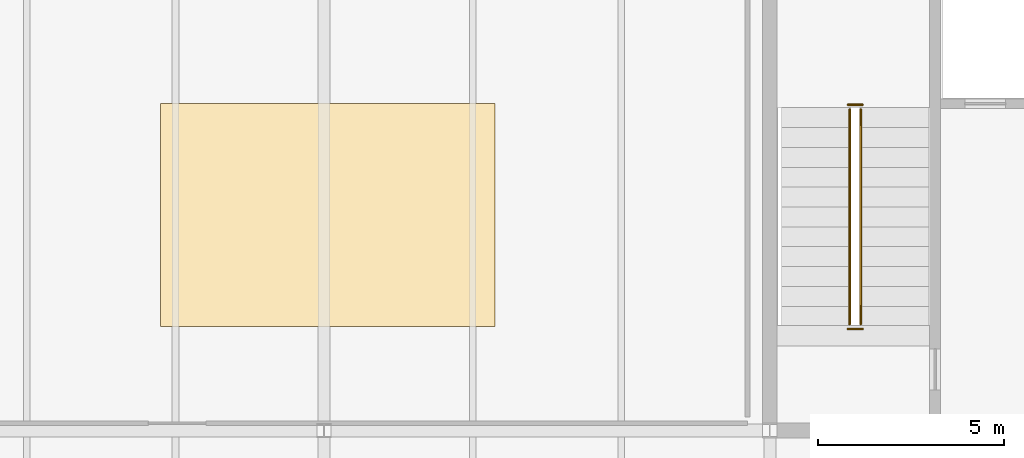
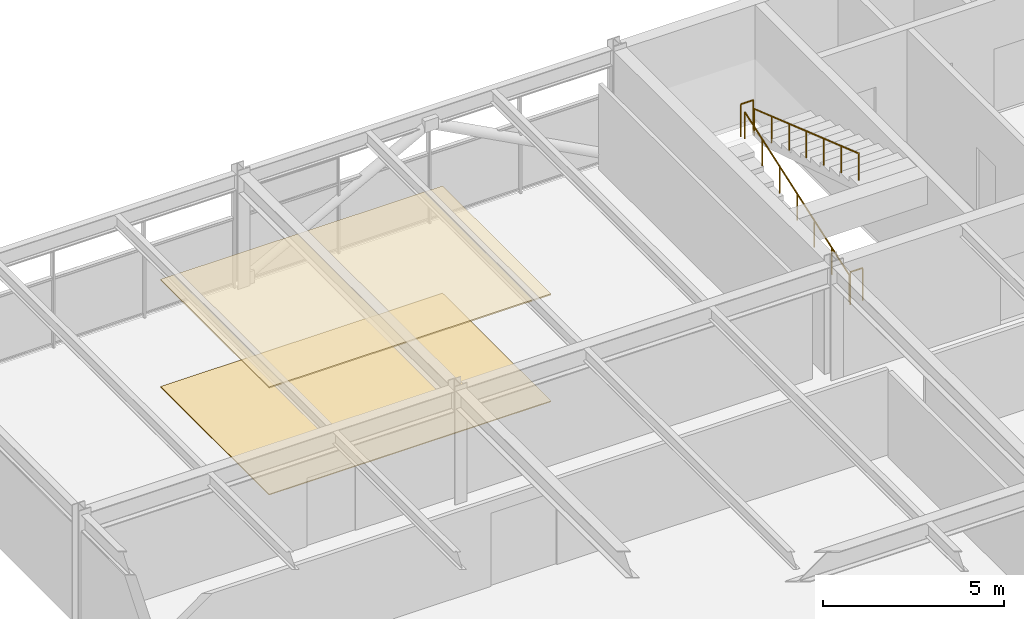
# One storey, part 47 of 49: 4 railings, 2 coverings.
"""IFC4 building model written with IfcOpenShell, lengths in metres."""

from ifc_helpers import new_model, si_unit, direction, frame, origin, origin_2d, place, context, subcontext, project, spatial, rectangle, circle, extrude, material, layer, layer_set, type_object, element, save


model = new_model("IFC4")

# Units and contexts
model_context = context("Model", 3, precision=1e-05, world=origin(), true_north=direction((0.0, 1.0)))
body_context = subcontext(model_context, "Body", "Model", "MODEL_VIEW")
ifc_project = project(units=[si_unit("LENGTHUNIT", "METRE"), si_unit("AREAUNIT", "SQUARE_METRE"), si_unit("VOLUMEUNIT", "CUBIC_METRE"), si_unit("PLANEANGLEUNIT", "RADIAN"), si_unit("MASSUNIT", "GRAM", prefix="KILO")], contexts=[model_context])

# Site, building, storey
site_placement = place(None, origin())
site = spatial("IfcSite", under=ifc_project, at=site_placement, CompositionType="ELEMENT")
building_placement = place(site_placement, origin())
building = spatial("IfcBuilding", under=site, at=building_placement, Name="Girod Span Mobility Hub", CompositionType="ELEMENT")
storey_placement = place(building_placement, frame((0.0, 0.0, 37.60009765625)))
storey = spatial("IfcBuildingStorey", under=building, at=storey_placement, Name="L09", CompositionType="ELEMENT", Elevation=37.60009765625)

# Coverings
ifc_material_1 = material(Name="Perforated Mineral-Fibre Acoustic Ceiling Tile", Category="mineral")
ifc_layer_1 = layer(ifc_material_1, 0.044921875)
ifc_layer_set_1 = layer_set([ifc_layer_1], Name="Perforated Mineral-Fibre Acoustic Ceiling Tile")
covering_type_1 = type_object("IfcCoveringType", Name="COV-CLG-900X600", PredefinedType="CEILING", material=ifc_layer_set_1)
covering_1_placement = place(storey_placement, frame((36.10009765625, 62.800048828125, 3.60498046875), z_axis=(0.0, 0.0, 1.0), x_axis=(1.0, 0.0, 0.0)))
element("IfcCovering", 1, at=covering_1_placement, inside=storey, type_object=covering_type_1, Name="Engineering Studio West L09 Acoustic Ceiling", PredefinedType="CEILING", context=body_context, shape_type="SweptSolid", body=[
    extrude(rectangle(XDim=9.0, YDim=6.0, at=origin_2d()), origin(), (0.0, 0.0, 1.0), 0.044921875),
])
ifc_material_2 = material(Name="Epoxy Terrazzo and Raised Access Flooring", Category="polymer")
ifc_layer_2 = layer(ifc_material_2, 0.030029296875)
ifc_layer_set_2 = layer_set([ifc_layer_2], Name="Epoxy Terrazzo and Raised Access Flooring")
covering_type_2 = type_object("IfcCoveringType", Name="COV-FLR-900X600", PredefinedType="FLOORING", material=ifc_layer_set_2)
covering_2_placement = place(storey_placement, frame((36.10009765625, 62.800048828125, 0.0), z_axis=(0.0, 0.0, 1.0), x_axis=(1.0, 0.0, 0.0)))
element("IfcCovering", 2, at=covering_2_placement, inside=storey, type_object=covering_type_2, Name="Engineering Studio West L09 Floor Finish", PredefinedType="FLOORING", context=body_context, shape_type="SweptSolid", body=[
    extrude(rectangle(XDim=9.0, YDim=6.0, at=origin_2d()), origin(), (0.0, 0.0, 1.0), 0.030029296875),
])

# Railings
ifc_material_3 = material(Name="Painted Galvanised Steel", Category="steel")
ifc_layer_3 = layer(ifc_material_3, 0.06494140625)
ifc_layer_set_3 = layer_set([ifc_layer_3], Name="Painted Galvanised Steel")
railing_type_1 = type_object("IfcRailingType", Name="RL-GRD-1120", PredefinedType="GUARDRAIL", material=ifc_layer_set_3)
for number, where, name in (
    (3, (50.10009765625, 65.77001953125, 2.0), "Stair ST-1 Half-Landing Well Guard L09"),
    (4, (50.10009765625, 59.72998046875, 0.0), "Stair ST-1 Landing Well Guard L09"),
):
    element("IfcRailing", number, at=place(storey_placement, frame(where)), inside=storey, type_object=railing_type_1, Name=name, PredefinedType="GUARDRAIL", context=body_context, shape_type="SweptSolid", body=[
        extrude(circle(Radius=0.02392578125, at=origin_2d()), frame((0.0, 0.0, 1.09619140625), z_axis=(1.0, 0.0, 0.0), x_axis=(0.0, 1.0, 0.0)), (0.0, 0.0, 1.0), 0.39990234375),
        extrude(circle(Radius=0.02099609375, at=origin_2d()), origin(), (0.0, 0.0, 1.0), 1.072021484375),
        extrude(circle(Radius=0.02099609375, at=origin_2d()), frame((0.39990234375, 0.0, 0.0)), (0.0, 0.0, 1.0), 1.072021484375),
    ])
ifc_material_4 = material(Name="Painted Galvanised Steel", Category="steel")
ifc_layer_4 = layer(ifc_material_4, 0.050048828125)
ifc_layer_set_4 = layer_set([ifc_layer_4], Name="Painted Galvanised Steel")
railing_type_2 = type_object("IfcRailingType", Name="RL-HR-920", PredefinedType="HANDRAIL", material=ifc_layer_set_4)
railing_1_placement = place(storey_placement, frame((50.14990234375, 59.860107421875, 0.0)))
element("IfcRailing", 5, at=railing_1_placement, inside=storey, type_object=railing_type_2, Name="Stair ST-1 Flight 1 Handrail L09", PredefinedType="HANDRAIL", context=body_context, shape_type="SweptSolid", body=[
    extrude(circle(Radius=0.02392578125, at=origin_2d()), frame((0.0, 0.0, 0.89599609375), z_axis=(0.0, 0.945021187488, 0.327009105681), x_axis=(-1.0, 0.0, 0.0)), (0.0, 0.0, 1.0), 6.115966796875),
    extrude(circle(Radius=0.02099609375, at=origin_2d()), origin(), (0.0, 0.0, 1.0), 0.871826171875),
    extrude(circle(Radius=0.02099609375, at=origin_2d()), frame((0.0, 0.96337890625, 0.333251953125)), (0.0, 0.0, 1.0), 0.871826171875),
    extrude(circle(Radius=0.02099609375, at=origin_2d()), frame((0.0, 1.926513671875, 0.666748046875)), (0.0, 0.0, 1.0), 0.871826171875),
    extrude(circle(Radius=0.02099609375, at=origin_2d()), frame((0.0, 2.889892578125, 1.0)), (0.0, 0.0, 1.0), 0.871826171875),
    extrude(circle(Radius=0.02099609375, at=origin_2d()), frame((0.0, 3.853271484375, 1.333251953125)), (0.0, 0.0, 1.0), 0.871826171875),
    extrude(circle(Radius=0.02099609375, at=origin_2d()), frame((0.0, 4.81640625, 1.666748046875)), (0.0, 0.0, 1.0), 0.871826171875),
    extrude(circle(Radius=0.02099609375, at=origin_2d()), frame((0.0, 5.77978515625, 2.0)), (0.0, 0.0, 1.0), 0.871826171875),
])
railing_2_placement = place(storey_placement, frame((50.449951171875, 65.639892578125, 2.0)))
element("IfcRailing", 6, at=railing_2_placement, inside=storey, type_object=railing_type_2, Name="Stair ST-1 Flight 2 Handrail L09", PredefinedType="HANDRAIL", context=body_context, shape_type="SweptSolid", body=[
    extrude(circle(Radius=0.02392578125, at=origin_2d()), frame((0.0, 0.0, 0.89599609375), z_axis=(0.0, -0.945021187488, 0.327009105681), x_axis=(1.0, 0.0, 0.0)), (0.0, 0.0, 1.0), 6.115966796875),
    extrude(circle(Radius=0.02099609375, at=origin_2d()), origin(), (0.0, 0.0, 1.0), 0.871826171875),
    extrude(circle(Radius=0.02099609375, at=origin_2d()), frame((0.0, -0.96337890625, 0.333251953125)), (0.0, 0.0, 1.0), 0.871826171875),
    extrude(circle(Radius=0.02099609375, at=origin_2d()), frame((0.0, -1.926513671875, 0.666748046875)), (0.0, 0.0, 1.0), 0.871826171875),
    extrude(circle(Radius=0.02099609375, at=origin_2d()), frame((0.0, -2.889892578125, 1.0)), (0.0, 0.0, 1.0), 0.871826171875),
    extrude(circle(Radius=0.02099609375, at=origin_2d()), frame((0.0, -3.853271484375, 1.333251953125)), (0.0, 0.0, 1.0), 0.871826171875),
    extrude(circle(Radius=0.02099609375, at=origin_2d()), frame((0.0, -4.81640625, 1.666748046875)), (0.0, 0.0, 1.0), 0.871826171875),
    extrude(circle(Radius=0.02099609375, at=origin_2d()), frame((0.0, -5.77978515625, 2.0)), (0.0, 0.0, 1.0), 0.871826171875),
])

save(model, "model.ifc")
